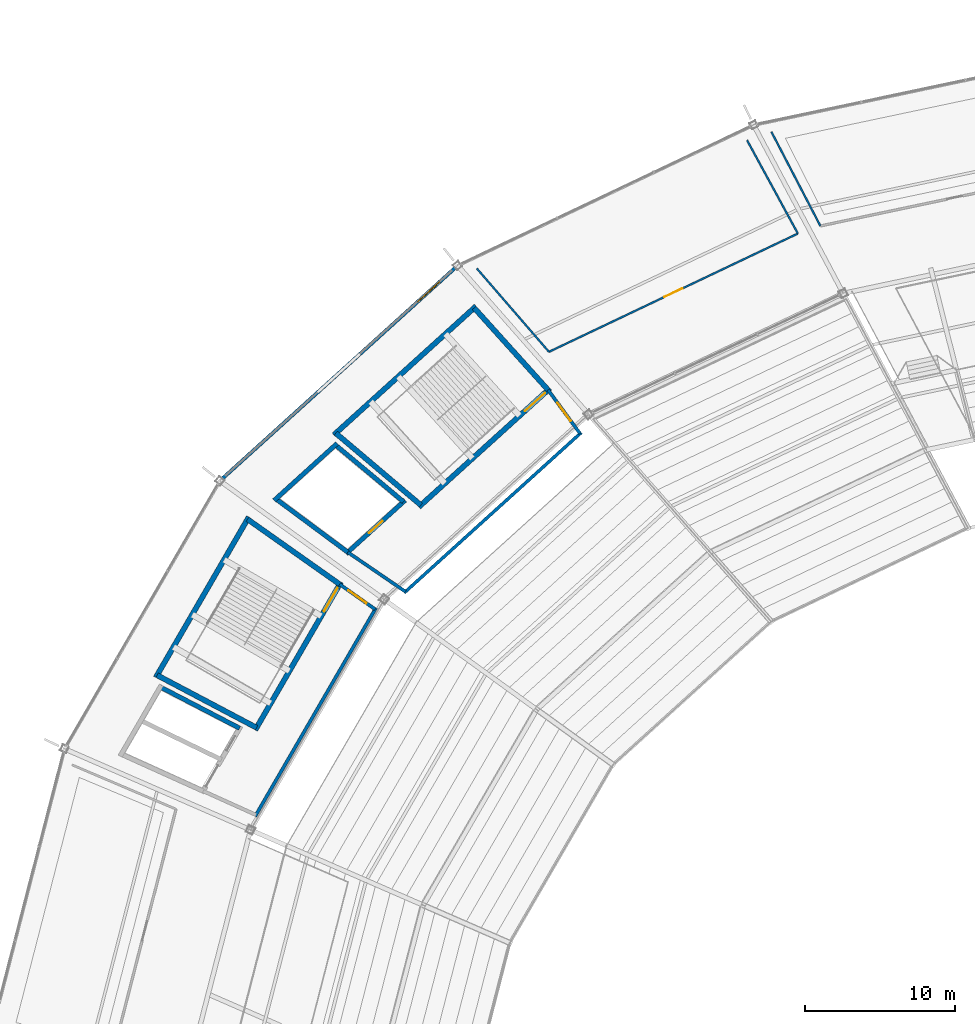
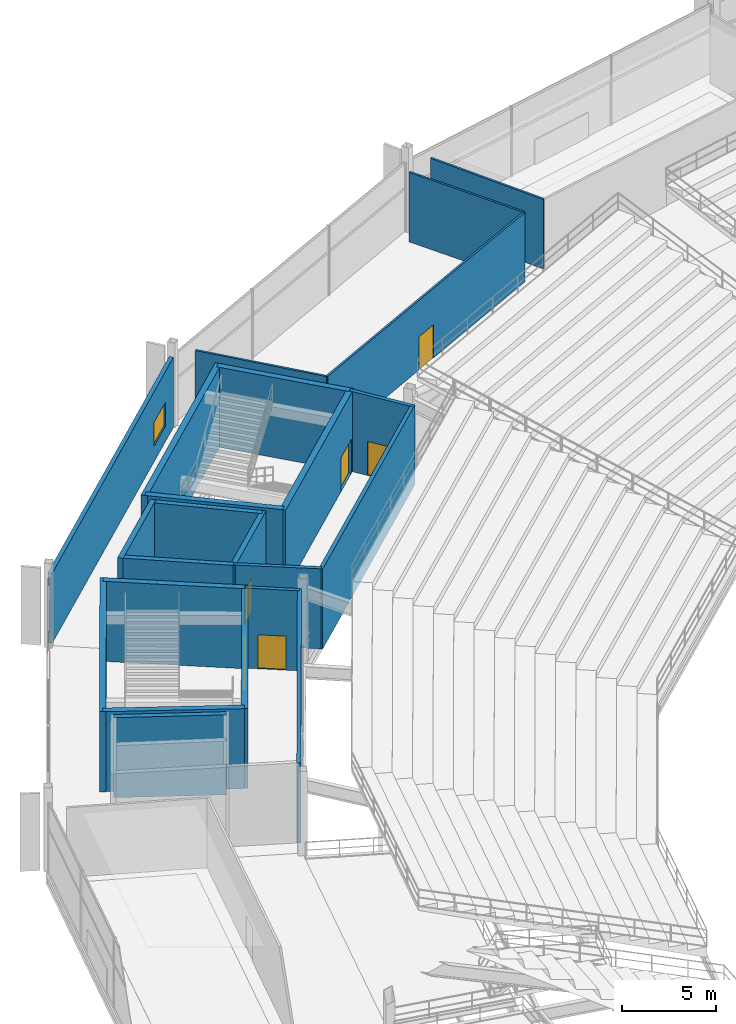
# One storey, part 130 of 186: 23 walls, 6 doors, 1 window, 7 openings.
"""IFC4 building model written with IfcOpenShell, lengths in metres."""

from ifc_helpers import new_model, si_unit, direction, frame, frame_2d, origin, place, context, subcontext, project, spatial, rectangle, extrude, material, layer, layer_set, type_object, element, fill, save


model = new_model("IFC4")

# Units and contexts
model_context = context("Model", 3, precision=1e-05, world=origin(), true_north=direction((0.0, 1.0)))
body_context = subcontext(model_context, "Body", "Model", "MODEL_VIEW")
ifc_project = project(units=[si_unit("LENGTHUNIT", "METRE"), si_unit("AREAUNIT", "SQUARE_METRE"), si_unit("VOLUMEUNIT", "CUBIC_METRE"), si_unit("PLANEANGLEUNIT", "RADIAN"), si_unit("MASSUNIT", "GRAM", prefix="KILO")], contexts=[model_context])

# Site, building, storey
site_placement = place(None, origin())
site = spatial("IfcSite", under=ifc_project, at=site_placement, CompositionType="ELEMENT")
building_placement = place(site_placement, origin())
building = spatial("IfcBuilding", under=site, at=building_placement, Name="Kazemori Nagisa Stadium", CompositionType="ELEMENT")
storey_placement = place(building_placement, frame((0.0, 0.0, 20.39990234375)))
storey = spatial("IfcBuildingStorey", under=building, at=storey_placement, Name="L04", CompositionType="ELEMENT", Elevation=20.39990234375)

# Wall, opening, door
ifc_material_1 = material(Name="Concrete C40/50 (Fc42)", Category="concrete")
ifc_layer_1 = layer(ifc_material_1, 0.35009765625, Name="Concrete C40/50 (Fc42)", Category="concrete")
ifc_layer_set_1 = layer_set([ifc_layer_1], Name="Concrete C40/50 (Fc42)")
wall_type_1 = type_object("IfcWallType", Name="Wall_W-CORE-350", PredefinedType="SHEAR", material=ifc_layer_set_1)
wall_1_placement = place(storey_placement, frame((66.583251953125, 164.860107421875, 0.0), z_axis=(0.0, 0.0, 1.0), x_axis=(-0.741348929385, -0.671119784315, 0.0)))
wall_1 = element("IfcWall", 1, at=wall_1_placement, inside=storey, type_object=wall_type_1, Name="Core stair front shear wall ST02 L04", PredefinedType="SHEAR", context=body_context, shape_type="SweptSolid", body=[
    extrude(rectangle(XDim=11.826416015625, YDim=0.35009765625, at=frame_2d((5.9130859375, 0.0))), origin(), (0.0, 0.0, 1.0), 5.18017578125),
])
opening_1_placement = place(wall_1_placement, frame((0.47509765625, 0.0, 0.0)))
opening_1 = element("IfcOpeningElement", 2, at=opening_1_placement, cuts=wall_1, Name="Opening D-ST-1800", PredefinedType="OPENING", context=body_context, shape_type="SweptSolid", body=[
    extrude(rectangle(XDim=1.800048828125, YDim=2.199951171875, at=frame_2d((0.89990234375, 1.10009765625))), frame((0.0, 0.18505859375, 0.0), z_axis=(0.0, -1.0, 0.0), x_axis=(1.0, 0.0, 0.0)), (0.0, 0.0, 1.0), 0.3701171875),
])
ifc_material_2 = material(Name="Galvanised steel sheet", Category="steel")
door_type_1 = type_object("IfcDoorType", Name="Door_D-ST-1800", OperationType="NOTDEFINED", PredefinedType="DOOR", material=ifc_material_2)
door_1_placement = place(opening_1_placement, frame((1.800048828125, 0.0, 0.0), z_axis=(0.0, 0.0, 1.0), x_axis=(-1.0, 0.0, 0.0)))
door_1 = element("IfcDoor", 3, at=door_1_placement, inside=storey, type_object=door_type_1, Name="Exit stair fire door ST02-L04", OperationType="SINGLE_SWING_LEFT", OverallHeight=2.199951171875, OverallWidth=1.800048828125, PredefinedType="DOOR", context=body_context, shape_type="SweptSolid", body=[
    extrude(rectangle(XDim=1.800048828125, YDim=2.199951171875, at=frame_2d((0.89990234375, 1.10009765625))), frame((0.0, 0.02490234375, 0.0), z_axis=(0.0, -1.0, 0.0), x_axis=(1.0, 0.0, 0.0)), (0.0, 0.0, 1.0), 0.050048828125),
])
fill(opening_1, door_1)

# Walls
wall_2_placement = place(storey_placement, frame((61.638671875, 170.3466796875, 0.0), z_axis=(0.0, 0.0, 1.0), x_axis=(-0.741351373721, -0.671117084183, 0.0)))
element("IfcWall", 4, at=wall_2_placement, inside=storey, type_object=wall_type_1, Name="Core stair rear shear wall ST02 L04", PredefinedType="SHEAR", context=body_context, shape_type="SweptSolid", body=[
    extrude(rectangle(XDim=12.830322265625, YDim=0.35009765625, at=frame_2d((6.4150390625, 0.0))), origin(), (0.0, 0.0, 1.0), 5.18017578125),
])
wall_3_placement = place(storey_placement, frame((66.45361328125, 164.74267578125, 0.0), z_axis=(0.0, 0.0, 1.0), x_axis=(-0.669463145673, 0.742845270958, 0.0)))
element("IfcWall", 5, at=wall_3_placement, inside=storey, type_object=wall_type_1, Name="Core stair left shear wall ST02 L04", PredefinedType="SHEAR", context=body_context, shape_type="SweptSolid", body=[
    extrude(rectangle(XDim=7.385986328125, YDim=0.35009765625, at=frame_2d((3.69287109375, 0.0))), origin(), (0.0, 0.0, 1.0), 5.18017578125),
])
wall_4_placement = place(storey_placement, frame((57.9453125, 157.04052734375, 0.0), z_axis=(0.0, 0.0, 1.0), x_axis=(-0.763422324031, 0.64589964791, 0.0)))
element("IfcWall", 6, at=wall_4_placement, inside=storey, type_object=wall_type_1, Name="Core stair right shear wall ST02 L04", PredefinedType="SHEAR", context=body_context, shape_type="SweptSolid", body=[
    extrude(rectangle(XDim=7.45166015625, YDim=0.35009765625, at=frame_2d((3.725830078125, 0.0))), origin(), (0.0, 0.0, 1.0), 5.18017578125),
])

# Wall, opening, door
wall_5_placement = place(storey_placement, frame((52.6064453125, 151.89990234375, 0.0), z_axis=(0.0, 0.0, 1.0), x_axis=(-0.501587404838, -0.865106973332, 0.0)))
wall_5 = element("IfcWall", 7, at=wall_5_placement, inside=storey, type_object=wall_type_1, Name="Core stair front shear wall ST08 L04", PredefinedType="SHEAR", context=body_context, shape_type="SweptSolid", body=[
    extrude(rectangle(XDim=11.435302734375, YDim=0.35009765625, at=frame_2d((5.7177734375, 0.0))), origin(), (0.0, 0.0, 1.0), 5.18017578125),
])
opening_2_placement = place(wall_5_placement, frame((0.47509765625, 0.0, 0.0)))
opening_2 = element("IfcOpeningElement", 8, at=opening_2_placement, cuts=wall_5, Name="Opening D-ST-1800", PredefinedType="OPENING", context=body_context, shape_type="SweptSolid", body=[
    extrude(rectangle(XDim=1.800048828125, YDim=2.199951171875, at=frame_2d((0.89990234375, 1.10009765625))), frame((0.0, 0.18505859375, 0.0), z_axis=(0.0, -1.0, 0.0), x_axis=(1.0, 0.0, 0.0)), (0.0, 0.0, 1.0), 0.3701171875),
])
door_2_placement = place(opening_2_placement, frame((1.800048828125, 0.0, 0.0), z_axis=(0.0, 0.0, 1.0), x_axis=(-1.0, 0.0, 0.0)))
door_2 = element("IfcDoor", 9, at=door_2_placement, inside=storey, type_object=door_type_1, Name="Exit stair fire door ST08-L04", OperationType="SINGLE_SWING_LEFT", OverallHeight=2.199951171875, OverallWidth=1.800048828125, PredefinedType="DOOR", context=body_context, shape_type="SweptSolid", body=[
    extrude(rectangle(XDim=1.800048828125, YDim=2.199951171875, at=frame_2d((0.89990234375, 1.10009765625))), frame((0.0, 0.02490234375, 0.0), z_axis=(0.0, -1.0, 0.0), x_axis=(1.0, 0.0, 0.0)), (0.0, 0.0, 1.0), 0.050048828125),
])
fill(opening_2, door_2)

# Walls
wall_6_placement = place(storey_placement, frame((46.443359375, 156.25, 0.0), z_axis=(0.0, 0.0, 1.0), x_axis=(-0.501601740165, -0.865098661577, 0.0)))
element("IfcWall", 10, at=wall_6_placement, inside=storey, type_object=wall_type_1, Name="Core stair rear shear wall ST08 L04", PredefinedType="SHEAR", context=body_context, shape_type="SweptSolid", body=[
    extrude(rectangle(XDim=12.404541015625, YDim=0.35009765625, at=frame_2d((6.2021484375, 0.0))), origin(), (0.0, 0.0, 1.0), 5.18017578125),
])
wall_7_placement = place(storey_placement, frame((52.518798828125, 151.748291015625, 0.0), z_axis=(0.0, 0.0, 1.0), x_axis=(-0.816983109824, 0.576661597701, 0.0)))
element("IfcWall", 11, at=wall_7_placement, inside=storey, type_object=wall_type_1, Name="Core stair left shear wall ST08 L04", PredefinedType="SHEAR", context=body_context, shape_type="SweptSolid", body=[
    extrude(rectangle(XDim=7.5439453125, YDim=0.35009765625, at=frame_2d((3.77197265625, 0.0))), origin(), (0.0, 0.0, 1.0), 5.18017578125),
])
wall_8_placement = place(storey_placement, frame((46.958251953125, 142.15869140625, 0.0), z_axis=(0.0, 0.0, 1.0), x_axis=(-0.884271552762, 0.466973040952, 0.0)))
element("IfcWall", 12, at=wall_8_placement, inside=storey, type_object=wall_type_1, Name="Core stair right shear wall ST08 L04", PredefinedType="SHEAR", context=body_context, shape_type="SweptSolid", body=[
    extrude(rectangle(XDim=7.51953125, YDim=0.35009765625, at=frame_2d((3.759765625, 0.0))), origin(), (0.0, 0.0, 1.0), 5.18017578125),
])

# Wall, opening, window
ifc_material_3 = material(Name="Steel S355 (SN490B)", Category="steel")
ifc_layer_2 = layer(ifc_material_3, 0.239990234375, Name="Steel S355 (SN490B)", Category="steel")
ifc_layer_set_2 = layer_set([ifc_layer_2], Name="Steel S355 (SN490B)")
wall_type_2 = type_object("IfcWallType", Name="Wall_W-EXT-240", PredefinedType="SOLIDWALL", material=ifc_layer_set_2)
wall_9_placement = place(storey_placement, frame((60.239013671875, 172.911376953125, 0.0), z_axis=(0.0, 0.0, 1.0), x_axis=(-0.741349049196, -0.671119651967, 0.0)))
wall_9 = element("IfcWall", 13, at=wall_9_placement, inside=storey, type_object=wall_type_2, Name="Exterior facade wall L04-11", PredefinedType="SOLIDWALL", context=body_context, shape_type="SweptSolid", body=[
    extrude(rectangle(XDim=21.00390625, YDim=0.239990234375, at=frame_2d((10.501953125, 0.0))), origin(), (0.0, 0.0, 1.0), 4.530029296875),
])
opening_3_placement = place(wall_9_placement, frame((1.39990234375, 0.0, 1.0)))
opening_3 = element("IfcOpeningElement", 14, at=opening_3_placement, cuts=wall_9, Name="Opening WIN-L04-2000", PredefinedType="OPENING", context=body_context, shape_type="SweptSolid", body=[
    extrude(rectangle(XDim=2.0, YDim=1.550048828125, at=frame_2d((1.0, 0.77490234375))), frame((0.0, 0.1298828125, 0.0), z_axis=(0.0, -1.0, 0.0), x_axis=(1.0, 0.0, 0.0)), (0.0, 0.0, 1.0), 0.260009765625),
])
ifc_material_4 = material(Name="Low-e laminated double glazing", Category="glass")
window_type = type_object("IfcWindowType", Name="Window_WIN-L04-2000", PartitioningType="SINGLE_PANEL", PredefinedType="WINDOW", material=ifc_material_4)
window_placement = place(opening_3_placement, origin())
window = element("IfcWindow", 15, at=window_placement, inside=storey, type_object=window_type, Name="Core lobby window L04-11", OverallHeight=1.550048828125, OverallWidth=2.0, PartitioningType="SINGLE_PANEL", PredefinedType="WINDOW", context=body_context, shape_type="SweptSolid", body=[
    extrude(rectangle(XDim=2.0, YDim=1.550048828125, at=frame_2d((1.0, 0.77490234375))), frame((0.0, 0.030029296875, 0.0), z_axis=(0.0, -1.0, 0.0), x_axis=(1.0, 0.0, 0.0)), (0.0, 0.0, 1.0), 0.06005859375),
])
fill(opening_3, window)

# Wall
ifc_material_5 = material(Name="Concrete C36/45 (Fc36)", Category="concrete")
ifc_layer_3 = layer(ifc_material_5, 0.219970703125, Name="Concrete C36/45 (Fc36)", Category="concrete")
ifc_layer_set_3 = layer_set([ifc_layer_3], Name="Concrete C36/45 (Fc36)")
wall_type_3 = type_object("IfcWallType", Name="Wall_W-LOBBY-220", PredefinedType="SOLIDWALL", material=ifc_layer_set_3)
wall_10_placement = place(storey_placement, frame((68.672607421875, 161.89794921875, 0.0), z_axis=(0.0, 0.0, 1.0), x_axis=(-0.741351035574, -0.671117457717, 0.0)))
element("IfcWall", 16, at=wall_10_placement, inside=storey, type_object=wall_type_3, Name="Core lobby fire wall ST02 L04", PredefinedType="SOLIDWALL", context=body_context, shape_type="SweptSolid", body=[
    extrude(rectangle(XDim=15.96923828125, YDim=0.219970703125, at=frame_2d((7.984619140625, 0.0))), origin(), (0.0, 0.0, 1.0), 5.18017578125),
])

# Wall, opening, door
wall_11_placement = place(storey_placement, frame((68.591064453125, 161.823974609375, 0.0), z_axis=(0.0, 0.0, 1.0), x_axis=(-0.590836915359, 0.806791013491, 0.0)))
wall_11 = element("IfcWall", 17, at=wall_11_placement, inside=storey, type_object=wall_type_3, Name="Core lobby left wall ST02 L04", PredefinedType="SOLIDWALL", context=body_context, shape_type="SweptSolid", body=[
    extrude(rectangle(XDim=3.61767578125, YDim=0.219970703125, at=frame_2d((1.808837890625, 0.0))), origin(), (0.0, 0.0, 1.0), 5.18017578125),
])
opening_4_placement = place(wall_11_placement, frame((1.05908203125, 0.0, 0.0)))
opening_4 = element("IfcOpeningElement", 18, at=opening_4_placement, cuts=wall_11, Name="Opening D-FFL-1500", PredefinedType="OPENING", context=body_context, shape_type="SweptSolid", body=[
    extrude(rectangle(XDim=1.5, YDim=2.199951171875, at=frame_2d((0.75, 1.10009765625))), frame((0.0, 0.119873046875, 0.0), z_axis=(0.0, -1.0, 0.0), x_axis=(1.0, 0.0, 0.0)), (0.0, 0.0, 1.0), 0.239990234375),
])
door_type_2 = type_object("IfcDoorType", Name="Door_D-FFL-1500", OperationType="NOTDEFINED", PredefinedType="DOOR", material=ifc_material_2)
door_3_placement = place(opening_4_placement, frame((1.5, 0.0, 0.0), z_axis=(0.0, 0.0, 1.0), x_axis=(-1.0, 0.0, 0.0)))
door_3 = element("IfcDoor", 19, at=door_3_placement, inside=storey, type_object=door_type_2, Name="Protected lobby fire door ST02-L04", OperationType="DOUBLE_DOOR_SINGLE_SWING", OverallHeight=2.199951171875, OverallWidth=1.5, PredefinedType="DOOR", context=body_context, shape_type="SweptSolid", body=[
    extrude(rectangle(XDim=1.5, YDim=2.199951171875, at=frame_2d((0.75, 1.10009765625))), frame((0.0, 0.02490234375, 0.0), z_axis=(0.0, -1.0, 0.0), x_axis=(1.0, 0.0, 0.0)), (0.0, 0.0, 1.0), 0.050048828125),
])
fill(opening_4, door_3)

# Walls
wall_12_placement = place(storey_placement, frame((56.915283203125, 151.25439453125, 0.0), z_axis=(0.0, 0.0, 1.0), x_axis=(-0.825385410642, 0.564569680287, 0.0)))
element("IfcWall", 20, at=wall_12_placement, inside=storey, type_object=wall_type_3, Name="Core lobby right wall ST02 L04", PredefinedType="SOLIDWALL", context=body_context, shape_type="SweptSolid", body=[
    extrude(rectangle(XDim=4.673828125, YDim=0.219970703125, at=frame_2d((2.3369140625, 0.0))), origin(), (0.0, 0.0, 1.0), 5.18017578125),
])
wall_13_placement = place(storey_placement, frame((54.9443359375, 150.17041015625, 0.0), z_axis=(0.0, 0.0, 1.0), x_axis=(-0.501612626242, -0.865092349518, 0.0)))
element("IfcWall", 21, at=wall_13_placement, inside=storey, type_object=wall_type_3, Name="Core lobby fire wall ST08 L04", PredefinedType="SOLIDWALL", context=body_context, shape_type="SweptSolid", body=[
    extrude(rectangle(XDim=16.110107421875, YDim=0.219970703125, at=frame_2d((8.05517578125, 0.0))), origin(), (0.0, 0.0, 1.0), 5.18017578125),
])

# Wall, opening, door
wall_14_placement = place(storey_placement, frame((54.88916015625, 150.0751953125, 0.0), z_axis=(0.0, 0.0, 1.0), x_axis=(-0.816984187086, 0.57666007149, 0.0)))
wall_14 = element("IfcWall", 22, at=wall_14_placement, inside=storey, type_object=wall_type_3, Name="Core lobby left wall ST08 L04", PredefinedType="SOLIDWALL", context=body_context, shape_type="SweptSolid", body=[
    extrude(rectangle(XDim=2.9013671875, YDim=0.219970703125, at=frame_2d((1.45068359375, 0.0))), origin(), (0.0, 0.0, 1.0), 5.18017578125),
])
opening_5_placement = place(wall_14_placement, frame((0.700927734375, 0.0, 0.0)))
opening_5 = element("IfcOpeningElement", 23, at=opening_5_placement, cuts=wall_14, Name="Opening D-FFL-1500", PredefinedType="OPENING", context=body_context, shape_type="SweptSolid", body=[
    extrude(rectangle(XDim=1.5, YDim=2.199951171875, at=frame_2d((0.75, 1.10009765625))), frame((0.0, 0.119873046875, 0.0), z_axis=(0.0, -1.0, 0.0), x_axis=(1.0, 0.0, 0.0)), (0.0, 0.0, 1.0), 0.239990234375),
])
door_4_placement = place(opening_5_placement, frame((1.5, 0.0, 0.0), z_axis=(0.0, 0.0, 1.0), x_axis=(-1.0, 0.0, 0.0)))
door_4 = element("IfcDoor", 24, at=door_4_placement, inside=storey, type_object=door_type_2, Name="Protected lobby fire door ST08-L04", OperationType="DOUBLE_DOOR_SINGLE_SWING", OverallHeight=2.199951171875, OverallWidth=1.5, PredefinedType="DOOR", context=body_context, shape_type="SweptSolid", body=[
    extrude(rectangle(XDim=1.5, YDim=2.199951171875, at=frame_2d((0.75, 1.10009765625))), frame((0.0, 0.02490234375, 0.0), z_axis=(0.0, -1.0, 0.0), x_axis=(1.0, 0.0, 0.0)), (0.0, 0.0, 1.0), 0.050048828125),
])
fill(opening_5, door_4)

# Wall
ifc_material_6 = material(Name="Gypsum plasterboard", Category="gypsum")
ifc_layer_4 = layer(ifc_material_6, 0.125, Name="Gypsum plasterboard", Category="gypsum")
ifc_layer_set_4 = layer_set([ifc_layer_4], Name="Gypsum plasterboard")
wall_type_4 = type_object("IfcWallType", Name="Wall_W-PART-125", PredefinedType="PARTITIONING", material=ifc_layer_set_4)
wall_15_placement = place(storey_placement, frame((84.657958984375, 175.709716796875, 0.0), z_axis=(0.0, 0.0, 1.0), x_axis=(-0.461466568794, 0.887157599238, 0.0)))
element("IfcWall", 25, at=wall_15_placement, inside=storey, type_object=wall_type_4, Name="Room radial partition L04-B09-R", PredefinedType="PARTITIONING", context=body_context, shape_type="SweptSolid", body=[
    extrude(rectangle(XDim=7.09033203125, YDim=0.125, at=frame_2d((3.545166015625, 0.0))), origin(), (0.0, 0.0, 1.0), 4.5),
])

# Wall, opening, door
wall_16_placement = place(storey_placement, frame((83.15283203125, 175.200439453125, 0.0), z_axis=(0.0, 0.0, 1.0), x_axis=(-0.90321677741, -0.429184637429, 0.0)))
wall_16 = element("IfcWall", 26, at=wall_16_placement, inside=storey, type_object=wall_type_4, Name="Room corridor partition L04-B10", PredefinedType="PARTITIONING", context=body_context, shape_type="SweptSolid", body=[
    extrude(rectangle(XDim=18.42724609375, YDim=0.125, at=frame_2d((9.213623046875, 0.0))), origin(), (0.0, 0.0, 1.0), 4.5),
])
opening_6_placement = place(wall_16_placement, frame((8.5390625, 0.0, 0.0)))
opening_6 = element("IfcOpeningElement", 27, at=opening_6_placement, cuts=wall_16, Name="Opening D-CON-1350", PredefinedType="OPENING", context=body_context, shape_type="SweptSolid", body=[
    extrude(rectangle(XDim=1.35009765625, YDim=2.14990234375, at=frame_2d((0.675048828125, 1.074951171875))), frame((0.0, 0.072509765625, 0.0), z_axis=(0.0, -1.0, 0.0), x_axis=(1.0, 0.0, 0.0)), (0.0, 0.0, 1.0), 0.14501953125),
])
ifc_material_7 = material(Name="Anodised aluminium 6063-T5", Category="aluminium")
door_type_3 = type_object("IfcDoorType", Name="Door_D-CON-1350", OperationType="NOTDEFINED", PredefinedType="DOOR", material=ifc_material_7)
door_5_placement = place(opening_6_placement, origin())
door_5 = element("IfcDoor", 28, at=door_5_placement, inside=storey, type_object=door_type_3, Name="Room entrance door D-CON-1350 L04-B10", OperationType="SINGLE_SWING_RIGHT", OverallHeight=2.14990234375, OverallWidth=1.35009765625, PredefinedType="DOOR", context=body_context, shape_type="SweptSolid", body=[
    extrude(rectangle(XDim=1.35009765625, YDim=2.14990234375, at=frame_2d((0.675048828125, 1.074951171875))), frame((0.0, 0.02490234375, 0.0), z_axis=(0.0, -1.0, 0.0), x_axis=(1.0, 0.0, 0.0)), (0.0, 0.0, 1.0), 0.050048828125),
])
fill(opening_6, door_5)

# Walls
wall_17_placement = place(storey_placement, frame((83.15283203125, 175.200439453125, 0.0), z_axis=(0.0, 0.0, 1.0), x_axis=(-0.47812325427, 0.878292749444, 0.0)))
element("IfcWall", 29, at=wall_17_placement, inside=storey, type_object=wall_type_4, Name="Room radial partition L04-B10-L", PredefinedType="PARTITIONING", context=body_context, shape_type="SweptSolid", body=[
    extrude(rectangle(XDim=7.112548828125, YDim=0.125, at=frame_2d((3.55615234375, 0.0))), origin(), (0.0, 0.0, 1.0), 4.5),
])
wall_18_placement = place(storey_placement, frame((66.509033203125, 167.291748046875, 0.0), z_axis=(0.0, 0.0, 1.0), x_axis=(-0.654288201841, 0.7562452968, 0.0)))
element("IfcWall", 30, at=wall_18_placement, inside=storey, type_object=wall_type_4, Name="Room radial partition L04-B10-R", PredefinedType="PARTITIONING", context=body_context, shape_type="SweptSolid", body=[
    extrude(rectangle(XDim=7.367919921875, YDim=0.125, at=frame_2d((3.68408203125, 0.0))), origin(), (0.0, 0.0, 1.0), 4.5),
])

# Wall, opening, door
ifc_layer_5 = layer(ifc_material_1, 0.300048828125, Name="Concrete C40/50 (Fc42)", Category="concrete")
ifc_layer_set_5 = layer_set([ifc_layer_5], Name="Concrete C40/50 (Fc42)")
wall_type_5 = type_object("IfcWallType", Name="Wall_W-SHAFT-300", PredefinedType="SHEAR", material=ifc_layer_set_5)
wall_19_placement = place(storey_placement, frame((56.89697265625, 157.368896484375, 0.0), z_axis=(0.0, 0.0, 1.0), x_axis=(-0.741350155641, -0.671118429736, 0.0)))
wall_19 = element("IfcWall", 31, at=wall_19_placement, inside=storey, type_object=wall_type_5, Name="Lift shaft front wall FL2 L04", PredefinedType="SHEAR", context=body_context, shape_type="SweptSolid", body=[
    extrude(rectangle(XDim=5.3291015625, YDim=0.300048828125, at=frame_2d((2.66455078125, 0.0))), origin(), (0.0, 0.0, 1.0), 5.18017578125),
])
opening_7_placement = place(wall_19_placement, frame((2.06494140625, 0.0, 0.0)))
opening_7 = element("IfcOpeningElement", 32, at=opening_7_placement, cuts=wall_19, Name="Opening LD-FF", PredefinedType="OPENING", context=body_context, shape_type="SweptSolid", body=[
    extrude(rectangle(XDim=1.199951171875, YDim=2.199951171875, at=frame_2d((0.60009765625, 1.10009765625))), frame((0.0, 0.159912109375, 0.0), z_axis=(0.0, -1.0, 0.0), x_axis=(1.0, 0.0, 0.0)), (0.0, 0.0, 1.0), 0.320068359375),
])
ifc_material_8 = material(Name="Stainless steel SUS304", Category="steel")
door_type_4 = type_object("IfcDoorType", Name="Door_LD-FF", OperationType="SLIDING_TO_LEFT", PredefinedType="DOOR", material=ifc_material_8)
door_6_placement = place(opening_7_placement, origin())
door_6 = element("IfcDoor", 33, at=door_6_placement, inside=storey, type_object=door_type_4, Name="Lift landing door FL2-L04", OperationType="SLIDING_TO_LEFT", OverallHeight=2.199951171875, OverallWidth=1.199951171875, PredefinedType="DOOR", context=body_context, shape_type="SweptSolid", body=[
    extrude(rectangle(XDim=1.199951171875, YDim=2.199951171875, at=frame_2d((0.60009765625, 1.10009765625))), frame((0.0, 0.02490234375, 0.0), z_axis=(0.0, -1.0, 0.0), x_axis=(1.0, 0.0, 0.0)), (0.0, 0.0, 1.0), 0.050048828125),
])
fill(opening_7, door_6)

# Walls
wall_20_placement = place(storey_placement, frame((52.345703125, 161.167724609375, 0.0), z_axis=(0.0, 0.0, 1.0), x_axis=(-0.74134208775, -0.671127341815, 0.0)))
element("IfcWall", 34, at=wall_20_placement, inside=storey, type_object=wall_type_5, Name="Lift shaft B wall FL2 L04", PredefinedType="SHEAR", context=body_context, shape_type="SweptSolid", body=[
    extrude(rectangle(XDim=5.674560546875, YDim=0.300048828125, at=frame_2d((2.83740234375, 0.0))), origin(), (0.0, 0.0, 1.0), 5.18017578125),
])
wall_21_placement = place(storey_placement, frame((56.785888671875, 157.26806640625, 0.0), z_axis=(0.0, 0.0, 1.0), x_axis=(-0.767711354146, 0.640795815151, 0.0)))
element("IfcWall", 35, at=wall_21_placement, inside=storey, type_object=wall_type_5, Name="Lift shaft L wall FL2 L04", PredefinedType="SHEAR", context=body_context, shape_type="SweptSolid", body=[
    extrude(rectangle(XDim=5.9287109375, YDim=0.300048828125, at=frame_2d((2.96435546875, 0.0))), origin(), (0.0, 0.0, 1.0), 5.18017578125),
])
wall_22_placement = place(storey_placement, frame((53.0576171875, 153.89306640625, 0.0), z_axis=(0.0, 0.0, 1.0), x_axis=(-0.803101805449, 0.59584183311, 0.0)))
element("IfcWall", 36, at=wall_22_placement, inside=storey, type_object=wall_type_5, Name="Lift shaft R wall FL2 L04", PredefinedType="SHEAR", context=body_context, shape_type="SweptSolid", body=[
    extrude(rectangle(XDim=5.986328125, YDim=0.300048828125, at=frame_2d((2.9931640625, 0.0))), origin(), (0.0, 0.0, 1.0), 5.18017578125),
])
wall_23_placement = place(storey_placement, frame((45.82470703125, 142.1240234375, 0.0), z_axis=(0.0, 0.0, 1.0), x_axis=(-0.887268274556, 0.461253735992, 0.0)))
element("IfcWall", 37, at=wall_23_placement, inside=storey, type_object=wall_type_5, Name="Lift shaft L wall LP6 L04", PredefinedType="SHEAR", context=body_context, shape_type="SweptSolid", body=[
    extrude(rectangle(XDim=5.97900390625, YDim=0.300048828125, at=frame_2d((2.989501953125, 0.0))), origin(), (0.0, 0.0, 1.0), 5.18017578125),
])

save(model, "model.ifc")
